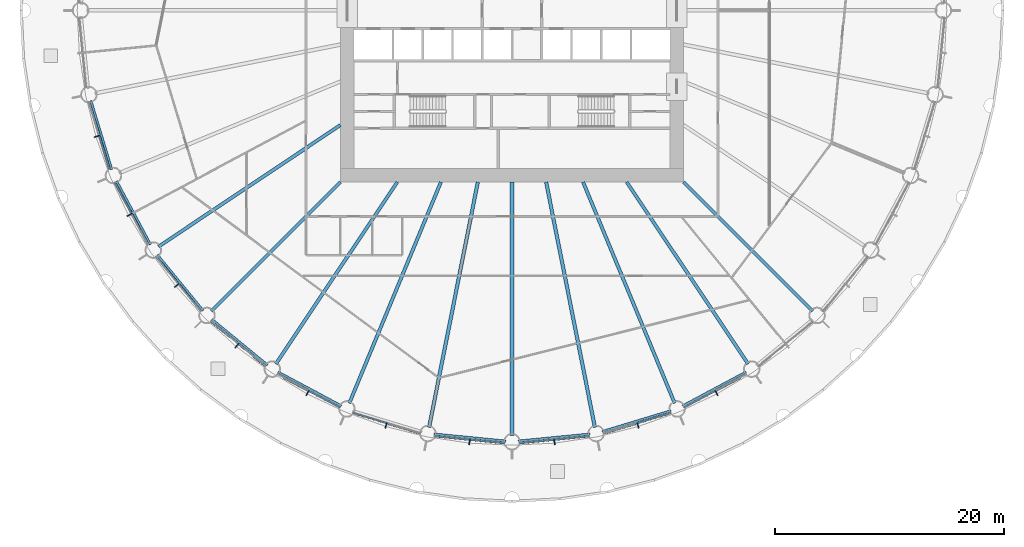
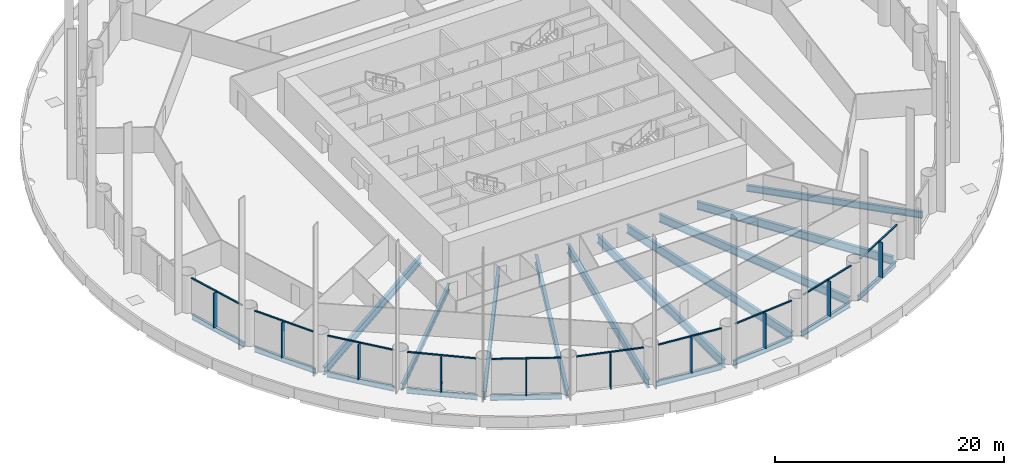
# One storey, part 2 of 17: 30 members, 19 beams, 10 elements without a shape of their own.
"""IFC4 building model written with IfcOpenShell, lengths in metres."""

from ifc_helpers import new_model, si_unit, direction, frame, origin, origin_2d, place, context, subcontext, project, spatial, rectangle, i_section, extrude, material, material_profile, profile_set, type_object, element, aggregate, save


model = new_model("IFC4")

# Units and contexts
model_context = context("Model", 3, precision=1e-05, world=origin(), true_north=direction((0.0, 1.0)))
body_context = subcontext(model_context, "Body", "Model", "MODEL_VIEW")
ifc_project = project(units=[si_unit("LENGTHUNIT", "METRE"), si_unit("AREAUNIT", "SQUARE_METRE"), si_unit("VOLUMEUNIT", "CUBIC_METRE"), si_unit("PLANEANGLEUNIT", "RADIAN"), si_unit("MASSUNIT", "GRAM", prefix="KILO")], contexts=[model_context])

# Site, building, storey
site_placement = place(None, origin())
site = spatial("IfcSite", under=ifc_project, at=site_placement, CompositionType="ELEMENT")
building_placement = place(site_placement, origin())
building = spatial("IfcBuilding", under=site, at=building_placement, Name="Corvane Civic Tower", CompositionType="ELEMENT")
storey_placement = place(building_placement, frame((0.0, 0.0, 37.0)))
storey = spatial("IfcBuildingStorey", under=building, at=storey_placement, Name="L07", CompositionType="ELEMENT", Elevation=37.0)

# Beams
ifc_material_1 = material(Name="Steel ASTM A992 Gr 50", Category="steel")
ifc_material_profile_1 = material_profile(ifc_material_1, i_section(OverallWidth=0.209228515625, OverallDepth=0.533447265625, WebThickness=0.01025390625, FlangeThickness=0.015625, at=origin_2d()), Name="W21X62")
ifc_profile_set_1 = profile_set([ifc_material_profile_1], Name="Steel ASTM A992 Gr 50")
beam_type_1 = type_object("IfcBeamType", Name="EDGE BEAM W21X62", PredefinedType="BEAM", material=ifc_profile_set_1)
for number, where, z_axis, x_axis, name in (
    (1, (20.4599609375, -31.605712890625, -0.566650390625), (-0.881916367906, -0.471405897311, 0.0), (0.471405897311, -0.881916367906, 0.0), "BM-L07-E14"),
    (2, (13.90087890625, -34.989990234375, -0.566650390625), (-0.956943740748, -0.290273452184, 0.0), (0.290273452184, -0.956943740748, 0.0), "BM-L07-E15"),
):
    element("IfcBeam", number, at=place(storey_placement, frame(where, z_axis=z_axis, x_axis=x_axis)), inside=storey, type_object=beam_type_1, Name=name, PredefinedType="BEAM", context=body_context, shape_type="SweptSolid", body=[
        extrude(i_section(OverallWidth=0.209228515625, OverallDepth=0.533447265625, WebThickness=0.01025390625, FlangeThickness=0.015625, at=origin_2d()), origin(), (0.0, 0.0, 1.0), 6.290283203125),
    ])
for number, where, z_axis, x_axis, name in (
    (3, (6.8076171875, -37.029541015625, -0.566650390625), (-0.995186682089, -0.097997284622, 0.0), (0.097997284622, -0.995186682089, 0.0), "BM-L07-E16"),
    (4, (-0.54736328125, -37.64599609375, -0.566650390625), (-0.995186682089, 0.097997284622, 0.0), (-0.097997284622, -0.995186682089, 0.0), "BM-L07-E17"),
):
    element("IfcBeam", number, at=place(storey_placement, frame(where, z_axis=z_axis, x_axis=x_axis)), inside=storey, type_object=beam_type_1, Name=name, PredefinedType="BEAM", context=body_context, shape_type="SweptSolid", body=[
        extrude(i_section(OverallWidth=0.209228515625, OverallDepth=0.533447265625, WebThickness=0.01025390625, FlangeThickness=0.015625, at=origin_2d()), origin(), (0.0, 0.0, 1.0), 6.29052734375),
    ])
beam_1_placement = place(storey_placement, frame((-14.912353515625, -34.571044921875, -0.566650390625), z_axis=(-0.881916367906, 0.471405897311, 0.0), x_axis=(-0.471405897311, -0.881916367906, 0.0)))
element("IfcBeam", 5, at=beam_1_placement, inside=storey, type_object=beam_type_1, Name="BM-L07-E19", PredefinedType="BEAM", context=body_context, shape_type="SweptSolid", body=[
    extrude(i_section(OverallWidth=0.209228515625, OverallDepth=0.533447265625, WebThickness=0.01025390625, FlangeThickness=0.015625, at=origin_2d()), origin(), (0.0, 0.0, 1.0), 6.290283203125),
])
for number, where, z_axis, x_axis, name in (
    (6, (-21.3701171875, -30.99755859375, -0.566650390625), (-0.773015785286, 0.634386787141, 0.0), (-0.634386787141, -0.773015785286, 0.0), "BM-L07-E20"),
    (7, (-27.0068359375, -26.23291015625, -0.566650390625), (-0.634386787141, 0.773015785286, 0.0), (-0.773015785286, -0.634386787141, 0.0), "BM-L07-E21"),
):
    element("IfcBeam", number, at=place(storey_placement, frame(where, z_axis=z_axis, x_axis=x_axis)), inside=storey, type_object=beam_type_1, Name=name, PredefinedType="BEAM", context=body_context, shape_type="SweptSolid", body=[
        extrude(i_section(OverallWidth=0.209228515625, OverallDepth=0.533447265625, WebThickness=0.01025390625, FlangeThickness=0.015625, at=origin_2d()), origin(), (0.0, 0.0, 1.0), 6.290771484375),
    ])
for number, where, z_axis, x_axis, name in (
    (8, (-31.605712890625, -20.4599609375, -0.566650390625), (-0.471405897311, 0.881916367906, 0.0), (-0.881916367906, -0.471405897311, 0.0), "BM-L07-E22"),
    (9, (-34.989990234375, -13.90087890625, -0.566650390625), (-0.290273452184, 0.956943740748, 0.0), (-0.956943740748, -0.290273452184, 0.0), "BM-L07-E23"),
):
    element("IfcBeam", number, at=place(storey_placement, frame(where, z_axis=z_axis, x_axis=x_axis)), inside=storey, type_object=beam_type_1, Name=name, PredefinedType="BEAM", context=body_context, shape_type="SweptSolid", body=[
        extrude(i_section(OverallWidth=0.209228515625, OverallDepth=0.533447265625, WebThickness=0.01025390625, FlangeThickness=0.015625, at=origin_2d()), origin(), (0.0, 0.0, 1.0), 6.290283203125),
    ])
ifc_material_2 = material(Name="Steel ASTM A992 Gr 50", Category="steel")
ifc_material_profile_2 = material_profile(ifc_material_2, i_section(OverallWidth=0.256591796875, OverallDepth=0.693359375, WebThickness=0.014404296875, FlangeThickness=0.023681640625, at=origin_2d()), Name="W27X114")
ifc_profile_set_2 = profile_set([ifc_material_profile_2], Name="Steel ASTM A992 Gr 50")
beam_type_2 = type_object("IfcBeamType", Name="FLOOR GIRDER W27X114", PredefinedType="BEAM", material=ifc_profile_set_2)
for number, where, z_axis, x_axis, name in (
    (10, (15.0, -15.0, -0.646728515625), (0.707106781187, -0.707106781187, 0.0), (0.707106781187, 0.707106781187, 0.0), "BM-L07-G13"),
    (11, (-15.0, -15.0, -0.646728515625), (-0.707106781187, -0.707106781187, 0.0), (0.707106781187, -0.707106781187, 0.0), "BM-L07-G21"),
):
    element("IfcBeam", number, at=place(storey_placement, frame(where, z_axis=z_axis, x_axis=x_axis)), inside=storey, type_object=beam_type_2, Name=name, PredefinedType="BEAM", context=body_context, shape_type="SweptSolid", body=[
        extrude(i_section(OverallWidth=0.256591796875, OverallDepth=0.693359375, WebThickness=0.014404296875, FlangeThickness=0.023681640625, at=origin_2d()), origin(), (0.0, 0.0, 1.0), 15.936767578125),
    ])
ifc_material_3 = material(Name="Steel ASTM A992 Gr 50", Category="steel")
ifc_material_profile_3 = material_profile(ifc_material_3, i_section(OverallWidth=0.2919921875, OverallDepth=0.8583984375, WebThickness=0.01708984375, FlangeThickness=0.031005859375, at=origin_2d()), Name="W33X169")
ifc_profile_set_3 = profile_set([ifc_material_profile_3], Name="Steel ASTM A992 Gr 50")
beam_type_3 = type_object("IfcBeamType", Name="FLOOR GIRDER W33X169", PredefinedType="BEAM", material=ifc_profile_set_3)
beam_2_placement = place(storey_placement, frame((10.022705078125, -15.0, -0.729248046875), z_axis=(0.555566681385, -0.831471985418, 0.0), x_axis=(0.831471985418, 0.555566681385, 0.0)))
element("IfcBeam", 12, at=beam_2_placement, inside=storey, type_object=beam_type_3, Name="BM-L07-G14", PredefinedType="BEAM", context=body_context, shape_type="SweptSolid", body=[
    extrude(i_section(OverallWidth=0.2919921875, OverallDepth=0.8583984375, WebThickness=0.01708984375, FlangeThickness=0.031005859375, at=origin_2d()), origin(), (0.0, 0.0, 1.0), 19.109619140625),
])
for number, where, z_axis, x_axis, name in (
    (13, (6.213134765625, -15.0, -0.729248046875), (0.382692360381, -0.923875834355, 0.0), (0.923875834355, 0.382692360381, 0.0), "BM-L07-G15"),
    (14, (-6.213134765625, -15.0, -0.729248046875), (-0.382692360381, -0.923875834355, 0.0), (0.923875834355, -0.382692360381, 0.0), "BM-L07-G19"),
):
    element("IfcBeam", number, at=place(storey_placement, frame(where, z_axis=z_axis, x_axis=x_axis)), inside=storey, type_object=beam_type_3, Name=name, PredefinedType="BEAM", context=body_context, shape_type="SweptSolid", body=[
        extrude(i_section(OverallWidth=0.2919921875, OverallDepth=0.8583984375, WebThickness=0.01708984375, FlangeThickness=0.031005859375, at=origin_2d()), origin(), (0.0, 0.0, 1.0), 20.9140625),
    ])
for number, where, z_axis, x_axis, name in (
    (15, (-10.022705078125, -15.0, -0.729248046875), (-0.555566681385, -0.831471985418, 0.0), (0.831471985418, -0.555566681385, 0.0), "BM-L07-G20"),
    (16, (-15.0, -10.022705078125, -0.729248046875), (-0.831471985418, -0.555566681385, 0.0), (0.555566681385, -0.831471985418, 0.0), "BM-L07-G22"),
):
    element("IfcBeam", number, at=place(storey_placement, frame(where, z_axis=z_axis, x_axis=x_axis)), inside=storey, type_object=beam_type_3, Name=name, PredefinedType="BEAM", context=body_context, shape_type="SweptSolid", body=[
        extrude(i_section(OverallWidth=0.2919921875, OverallDepth=0.8583984375, WebThickness=0.01708984375, FlangeThickness=0.031005859375, at=origin_2d()), origin(), (0.0, 0.0, 1.0), 19.109619140625),
    ])
ifc_material_4 = material(Name="Steel ASTM A992 Gr 50", Category="steel")
ifc_material_profile_4 = material_profile(ifc_material_4, i_section(OverallWidth=0.307373046875, OverallDepth=0.927001953125, WebThickness=0.01953125, FlangeThickness=0.031982421875, at=origin_2d()), Name="W36X194")
ifc_profile_set_4 = profile_set([ifc_material_profile_4], Name="Steel ASTM A992 Gr 50")
beam_type_4 = type_object("IfcBeamType", Name="FLOOR GIRDER W36X194", PredefinedType="BEAM", material=ifc_profile_set_4)
beam_3_placement = place(storey_placement, frame((2.983642578125, -15.0, -0.763671875), z_axis=(0.195089219638, -0.980785499679, 0.0), x_axis=(0.980785499679, 0.195089219638, 0.0)))
element("IfcBeam", 17, at=beam_3_placement, inside=storey, type_object=beam_type_4, Name="BM-L07-G16", PredefinedType="BEAM", context=body_context, shape_type="SweptSolid", body=[
    extrude(i_section(OverallWidth=0.307373046875, OverallDepth=0.927001953125, WebThickness=0.01953125, FlangeThickness=0.031982421875, at=origin_2d()), origin(), (0.0, 0.0, 1.0), 21.856201171875),
])
beam_4_placement = place(storey_placement, frame((0.0, -15.0, -0.763671875), z_axis=(0.0, -1.0, 0.0), x_axis=(1.0, 0.0, 0.0)))
element("IfcBeam", 18, at=beam_4_placement, inside=storey, type_object=beam_type_4, Name="BM-L07-G17", PredefinedType="BEAM", context=body_context, shape_type="SweptSolid", body=[
    extrude(i_section(OverallWidth=0.307373046875, OverallDepth=0.927001953125, WebThickness=0.01953125, FlangeThickness=0.031982421875, at=origin_2d()), origin(), (0.0, 0.0, 1.0), 22.14990234375),
])
beam_5_placement = place(storey_placement, frame((-2.983642578125, -15.0, -0.763671875), z_axis=(-0.195089219638, -0.980785499679, 0.0), x_axis=(0.980785499679, -0.195089219638, 0.0)))
element("IfcBeam", 19, at=beam_5_placement, inside=storey, type_object=beam_type_4, Name="BM-L07-G18", PredefinedType="BEAM", context=body_context, shape_type="SweptSolid", body=[
    extrude(i_section(OverallWidth=0.307373046875, OverallDepth=0.927001953125, WebThickness=0.01953125, FlangeThickness=0.031982421875, at=origin_2d()), origin(), (0.0, 0.0, 1.0), 21.856201171875),
])

# Curtain wall, members
ifc_material_5 = material(Name="Anodised aluminium bronze", Category="aluminium")
curtain_wall_type = type_object("IfcCurtainWallType", Name="TOWER CW-T1 STICK CURTAIN WALL", PredefinedType="NOTDEFINED", material=ifc_material_5)
curtain_wall_1_placement = place(storey_placement, origin())
curtain_wall_1 = element("IfcCurtainWall", 20, at=curtain_wall_1_placement, inside=storey, type_object=curtain_wall_type, Name="Curtain wall CW-T1 L07 bay 14", PredefinedType="NOTDEFINED")
ifc_material_6 = material(Name="Anodised aluminium bronze", Category="aluminium")
ifc_material_profile_5 = material_profile(ifc_material_6, rectangle(XDim=0.139892578125, YDim=0.1201171875, at=origin_2d()), Name="TOWER CW-T1 TRANSOM 140x120")
ifc_profile_set_5 = profile_set([ifc_material_profile_5], Name="Anodised aluminium bronze")
member_type_1 = type_object("IfcMemberType", Name="TOWER CW-T1 TRANSOM 140x120", PredefinedType="USERDEFINED", material=ifc_profile_set_5)
member_1_placement = place(storey_placement, frame((20.459228515625, -31.809326171875, 3.68994140625), z_axis=(-0.881923525532, -0.471392506424, 0.0), x_axis=(0.471392506424, -0.881923525532, 0.0)))
member_1 = element("IfcMember", 21, at=member_1_placement, type_object=member_type_1, Name="Transom CW-T1 L07 14.1", ObjectType="TRANSOM", PredefinedType="USERDEFINED", context=body_context, shape_type="SweptSolid", body=[
    extrude(rectangle(XDim=0.139892578125, YDim=0.1201171875, at=origin_2d()), origin(), (0.0, 0.0, 1.0), 3.008544921875),
])
member_2_placement = place(storey_placement, frame((17.7353515625, -33.26513671875, 3.68994140625), z_axis=(-0.881923525532, -0.471392506424, 0.0), x_axis=(0.471392506424, -0.881923525532, 0.0)))
member_2 = element("IfcMember", 22, at=member_2_placement, type_object=member_type_1, Name="Transom CW-T1 L07 14.2", ObjectType="TRANSOM", PredefinedType="USERDEFINED", context=body_context, shape_type="SweptSolid", body=[
    extrude(rectangle(XDim=0.139892578125, YDim=0.1201171875, at=origin_2d()), origin(), (0.0, 0.0, 1.0), 3.008544921875),
])

curtain_wall_2_placement = place(storey_placement, origin())
curtain_wall_2 = element("IfcCurtainWall", 23, at=curtain_wall_2_placement, inside=storey, type_object=curtain_wall_type, Name="Curtain wall CW-T1 L07 bay 15", PredefinedType="NOTDEFINED")
member_3_placement = place(storey_placement, frame((13.8603515625, -35.189453125, 3.68994140625), z_axis=(-0.956941780555, -0.290279914268, 0.0), x_axis=(0.290279914268, -0.956941780555, 0.0)))
member_3 = element("IfcMember", 24, at=member_3_placement, type_object=member_type_1, Name="Transom CW-T1 L07 15.1", ObjectType="TRANSOM", PredefinedType="USERDEFINED", context=body_context, shape_type="SweptSolid", body=[
    extrude(rectangle(XDim=0.139892578125, YDim=0.1201171875, at=origin_2d()), origin(), (0.0, 0.0, 1.0), 3.008544921875),
])
member_4_placement = place(storey_placement, frame((10.90478515625, -36.0859375, 3.68994140625), z_axis=(-0.956941780555, -0.290279914268, 0.0), x_axis=(0.290279914268, -0.956941780555, 0.0)))
member_4 = element("IfcMember", 25, at=member_4_placement, type_object=member_type_1, Name="Transom CW-T1 L07 15.2", ObjectType="TRANSOM", PredefinedType="USERDEFINED", context=body_context, shape_type="SweptSolid", body=[
    extrude(rectangle(XDim=0.139892578125, YDim=0.1201171875, at=origin_2d()), origin(), (0.0, 0.0, 1.0), 3.008544921875),
])

curtain_wall_3_placement = place(storey_placement, origin())
curtain_wall_3 = element("IfcCurtainWall", 26, at=curtain_wall_3_placement, inside=storey, type_object=curtain_wall_type, Name="Curtain wall CW-T1 L07 bay 16", PredefinedType="NOTDEFINED")
member_5_placement = place(storey_placement, frame((6.72900390625, -37.21728515625, 3.68994140625), z_axis=(-0.995191836722, -0.097944923917, 0.0), x_axis=(0.097944923917, -0.995191836722, 0.0)))
member_5 = element("IfcMember", 27, at=member_5_placement, type_object=member_type_1, Name="Transom CW-T1 L07 16.1", ObjectType="TRANSOM", PredefinedType="USERDEFINED", context=body_context, shape_type="SweptSolid", body=[
    extrude(rectangle(XDim=0.139892578125, YDim=0.1201171875, at=origin_2d()), origin(), (0.0, 0.0, 1.0), 3.008544921875),
])
member_6_placement = place(storey_placement, frame((3.6552734375, -37.52001953125, 3.68994140625), z_axis=(-0.995191836722, -0.097944923917, 0.0), x_axis=(0.097944923917, -0.995191836722, 0.0)))
member_6 = element("IfcMember", 28, at=member_6_placement, type_object=member_type_1, Name="Transom CW-T1 L07 16.2", ObjectType="TRANSOM", PredefinedType="USERDEFINED", context=body_context, shape_type="SweptSolid", body=[
    extrude(rectangle(XDim=0.139892578125, YDim=0.1201171875, at=origin_2d()), origin(), (0.0, 0.0, 1.0), 3.008544921875),
])

curtain_wall_4_placement = place(storey_placement, origin())
curtain_wall_4 = element("IfcCurtainWall", 29, at=curtain_wall_4_placement, inside=storey, type_object=curtain_wall_type, Name="Curtain wall CW-T1 L07 bay 17", PredefinedType="NOTDEFINED")
member_7_placement = place(storey_placement, frame((-0.6611328125, -37.814697265625, 3.68994140625), z_axis=(-0.995191836722, 0.097944923917, 0.0), x_axis=(-0.097944923917, -0.995191836722, 0.0)))
member_7 = element("IfcMember", 30, at=member_7_placement, type_object=member_type_1, Name="Transom CW-T1 L07 17.1", ObjectType="TRANSOM", PredefinedType="USERDEFINED", context=body_context, shape_type="SweptSolid", body=[
    extrude(rectangle(XDim=0.139892578125, YDim=0.1201171875, at=origin_2d()), origin(), (0.0, 0.0, 1.0), 3.008544921875),
])
member_8_placement = place(storey_placement, frame((-3.73486328125, -37.511962890625, 3.68994140625), z_axis=(-0.995191836722, 0.097944923917, 0.0), x_axis=(-0.097944923917, -0.995191836722, 0.0)))
member_8 = element("IfcMember", 31, at=member_8_placement, type_object=member_type_1, Name="Transom CW-T1 L07 17.2", ObjectType="TRANSOM", PredefinedType="USERDEFINED", context=body_context, shape_type="SweptSolid", body=[
    extrude(rectangle(XDim=0.139892578125, YDim=0.1201171875, at=origin_2d()), origin(), (0.0, 0.0, 1.0), 3.008544921875),
])

curtain_wall_5_placement = place(storey_placement, origin())
curtain_wall_5 = element("IfcCurtainWall", 32, at=curtain_wall_5_placement, inside=storey, type_object=curtain_wall_type, Name="Curtain wall CW-T1 L07 bay 18", PredefinedType="NOTDEFINED")
member_9_placement = place(storey_placement, frame((-8.02587890625, -36.959228515625, 3.68994140625), z_axis=(-0.956941780555, 0.290279914268, 0.0), x_axis=(-0.290279914268, -0.956941780555, 0.0)))
member_9 = element("IfcMember", 33, at=member_9_placement, type_object=member_type_1, Name="Transom CW-T1 L07 18.1", ObjectType="TRANSOM", PredefinedType="USERDEFINED", context=body_context, shape_type="SweptSolid", body=[
    extrude(rectangle(XDim=0.139892578125, YDim=0.1201171875, at=origin_2d()), origin(), (0.0, 0.0, 1.0), 3.008544921875),
])
member_10_placement = place(storey_placement, frame((-10.9814453125, -36.062744140625, 3.68994140625), z_axis=(-0.956941780555, 0.290279914268, 0.0), x_axis=(-0.290279914268, -0.956941780555, 0.0)))
member_10 = element("IfcMember", 34, at=member_10_placement, type_object=member_type_1, Name="Transom CW-T1 L07 18.2", ObjectType="TRANSOM", PredefinedType="USERDEFINED", context=body_context, shape_type="SweptSolid", body=[
    extrude(rectangle(XDim=0.139892578125, YDim=0.1201171875, at=origin_2d()), origin(), (0.0, 0.0, 1.0), 3.008544921875),
])

curtain_wall_6_placement = place(storey_placement, origin())
curtain_wall_6 = element("IfcCurtainWall", 35, at=curtain_wall_6_placement, inside=storey, type_object=curtain_wall_type, Name="Curtain wall CW-T1 L07 bay 19", PredefinedType="NOTDEFINED")
member_11_placement = place(storey_placement, frame((-15.08203125, -34.683349609375, 3.68994140625), z_axis=(-0.881923525532, 0.471392506424, 0.0), x_axis=(-0.471392506424, -0.881923525532, 0.0)))
member_11 = element("IfcMember", 36, at=member_11_placement, type_object=member_type_1, Name="Transom CW-T1 L07 19.1", ObjectType="TRANSOM", PredefinedType="USERDEFINED", context=body_context, shape_type="SweptSolid", body=[
    extrude(rectangle(XDim=0.139892578125, YDim=0.1201171875, at=origin_2d()), origin(), (0.0, 0.0, 1.0), 3.008544921875),
])
member_12_placement = place(storey_placement, frame((-17.805908203125, -33.2275390625, 3.68994140625), z_axis=(-0.881923525532, 0.471392506424, 0.0), x_axis=(-0.471392506424, -0.881923525532, 0.0)))
member_12 = element("IfcMember", 37, at=member_12_placement, type_object=member_type_1, Name="Transom CW-T1 L07 19.2", ObjectType="TRANSOM", PredefinedType="USERDEFINED", context=body_context, shape_type="SweptSolid", body=[
    extrude(rectangle(XDim=0.139892578125, YDim=0.1201171875, at=origin_2d()), origin(), (0.0, 0.0, 1.0), 3.008544921875),
])

curtain_wall_7_placement = place(storey_placement, origin())
curtain_wall_7 = element("IfcCurtainWall", 38, at=curtain_wall_7_placement, inside=storey, type_object=curtain_wall_type, Name="Curtain wall CW-T1 L07 bay 20", PredefinedType="NOTDEFINED")
member_13_placement = place(storey_placement, frame((-21.55859375, -31.074462890625, 3.68994140625), z_axis=(-0.773041738279, 0.634355161466, 0.0), x_axis=(-0.634355161466, -0.773041738279, 0.0)))
member_13 = element("IfcMember", 39, at=member_13_placement, type_object=member_type_1, Name="Transom CW-T1 L07 20.1", ObjectType="TRANSOM", PredefinedType="USERDEFINED", context=body_context, shape_type="SweptSolid", body=[
    extrude(rectangle(XDim=0.139892578125, YDim=0.1201171875, at=origin_2d()), origin(), (0.0, 0.0, 1.0), 3.008544921875),
])
member_14_placement = place(storey_placement, frame((-23.946044921875, -29.115234375, 3.68994140625), z_axis=(-0.773001943873, 0.634403652865, 0.0), x_axis=(-0.634403652865, -0.773001943873, 0.0)))
member_14 = element("IfcMember", 40, at=member_14_placement, type_object=member_type_1, Name="Transom CW-T1 L07 20.2", ObjectType="TRANSOM", PredefinedType="USERDEFINED", context=body_context, shape_type="SweptSolid", body=[
    extrude(rectangle(XDim=0.139892578125, YDim=0.1201171875, at=origin_2d()), origin(), (0.0, 0.0, 1.0), 3.008544921875),
])

curtain_wall_8_placement = place(storey_placement, origin())
curtain_wall_8 = element("IfcCurtainWall", 41, at=curtain_wall_8_placement, inside=storey, type_object=curtain_wall_type, Name="Curtain wall CW-T1 L07 bay 21", PredefinedType="NOTDEFINED")
member_15_placement = place(storey_placement, frame((-27.20654296875, -26.271728515625, 3.68994140625), z_axis=(-0.634403652865, 0.773001943873, 0.0), x_axis=(-0.773001943873, -0.634403652865, 0.0)))
member_15 = element("IfcMember", 42, at=member_15_placement, type_object=member_type_1, Name="Transom CW-T1 L07 21.1", ObjectType="TRANSOM", PredefinedType="USERDEFINED", context=body_context, shape_type="SweptSolid", body=[
    extrude(rectangle(XDim=0.139892578125, YDim=0.1201171875, at=origin_2d()), origin(), (0.0, 0.0, 1.0), 3.008544921875),
])
member_16_placement = place(storey_placement, frame((-29.166015625, -23.88427734375, 3.68994140625), z_axis=(-0.634355161466, 0.773041738279, 0.0), x_axis=(-0.773041738279, -0.634355161466, 0.0)))
member_16 = element("IfcMember", 43, at=member_16_placement, type_object=member_type_1, Name="Transom CW-T1 L07 21.2", ObjectType="TRANSOM", PredefinedType="USERDEFINED", context=body_context, shape_type="SweptSolid", body=[
    extrude(rectangle(XDim=0.139892578125, YDim=0.1201171875, at=origin_2d()), origin(), (0.0, 0.0, 1.0), 3.008544921875),
])

curtain_wall_9_placement = place(storey_placement, origin())
curtain_wall_9 = element("IfcCurtainWall", 44, at=curtain_wall_9_placement, inside=storey, type_object=curtain_wall_type, Name="Curtain wall CW-T1 L07 bay 22", PredefinedType="NOTDEFINED")
member_17_placement = place(storey_placement, frame((-31.809326171875, -20.459228515625, 3.68994140625), z_axis=(-0.471392506424, 0.881923525532, 0.0), x_axis=(-0.881923525532, -0.471392506424, 0.0)))
member_17 = element("IfcMember", 45, at=member_17_placement, type_object=member_type_1, Name="Transom CW-T1 L07 22.1", ObjectType="TRANSOM", PredefinedType="USERDEFINED", context=body_context, shape_type="SweptSolid", body=[
    extrude(rectangle(XDim=0.139892578125, YDim=0.1201171875, at=origin_2d()), origin(), (0.0, 0.0, 1.0), 3.008544921875),
])
member_18_placement = place(storey_placement, frame((-33.26513671875, -17.7353515625, 3.68994140625), z_axis=(-0.471392506424, 0.881923525532, 0.0), x_axis=(-0.881923525532, -0.471392506424, 0.0)))
member_18 = element("IfcMember", 46, at=member_18_placement, type_object=member_type_1, Name="Transom CW-T1 L07 22.2", ObjectType="TRANSOM", PredefinedType="USERDEFINED", context=body_context, shape_type="SweptSolid", body=[
    extrude(rectangle(XDim=0.139892578125, YDim=0.1201171875, at=origin_2d()), origin(), (0.0, 0.0, 1.0), 3.008544921875),
])

curtain_wall_10_placement = place(storey_placement, origin())
curtain_wall_10 = element("IfcCurtainWall", 47, at=curtain_wall_10_placement, inside=storey, type_object=curtain_wall_type, Name="Curtain wall CW-T1 L07 bay 23", PredefinedType="NOTDEFINED")
member_19_placement = place(storey_placement, frame((-35.189453125, -13.8603515625, 3.68994140625), z_axis=(-0.290279914268, 0.956941780555, 0.0), x_axis=(-0.956941780555, -0.290279914268, 0.0)))
member_19 = element("IfcMember", 48, at=member_19_placement, type_object=member_type_1, Name="Transom CW-T1 L07 23.1", ObjectType="TRANSOM", PredefinedType="USERDEFINED", context=body_context, shape_type="SweptSolid", body=[
    extrude(rectangle(XDim=0.139892578125, YDim=0.1201171875, at=origin_2d()), origin(), (0.0, 0.0, 1.0), 3.008544921875),
])
member_20_placement = place(storey_placement, frame((-36.0859375, -10.90478515625, 3.68994140625), z_axis=(-0.290279914268, 0.956941780555, 0.0), x_axis=(-0.956941780555, -0.290279914268, 0.0)))
member_20 = element("IfcMember", 49, at=member_20_placement, type_object=member_type_1, Name="Transom CW-T1 L07 23.2", ObjectType="TRANSOM", PredefinedType="USERDEFINED", context=body_context, shape_type="SweptSolid", body=[
    extrude(rectangle(XDim=0.139892578125, YDim=0.1201171875, at=origin_2d()), origin(), (0.0, 0.0, 1.0), 3.008544921875),
])

# Member
ifc_material_7 = material(Name="Anodised aluminium bronze", Category="aluminium")
ifc_material_profile_6 = material_profile(ifc_material_7, rectangle(XDim=0.080078125, YDim=0.5, at=origin_2d()), Name="TOWER FIN MULLION 80x500 BRONZE")
ifc_profile_set_6 = profile_set([ifc_material_profile_6], Name="Anodised aluminium bronze")
member_type_2 = type_object("IfcMemberType", Name="TOWER FIN MULLION 80x500 BRONZE", PredefinedType="MULLION", material=ifc_profile_set_6)
member_21_placement = place(storey_placement, frame((17.86474609375, -33.422607421875, 0.0), z_axis=(0.0, 0.0, 1.0), x_axis=(-0.881917528864, -0.471403725359, 0.0)))
member_21 = element("IfcMember", 50, at=member_21_placement, type_object=member_type_2, Name="Fin mullion 14 L07", PredefinedType="MULLION", context=body_context, shape_type="SweptSolid", body=[
    extrude(rectangle(XDim=0.080078125, YDim=0.5, at=origin_2d()), origin(), (0.0, 0.0, 1.0), 3.75),
])

aggregate(curtain_wall_1, [member_21, member_1, member_2])

member_22_placement = place(storey_placement, frame((11.001220703125, -36.265625, 0.0), z_axis=(0.0, 0.0, 1.0), x_axis=(-0.956942240606, -0.290278397654, 0.0)))
member_22 = element("IfcMember", 51, at=member_22_placement, type_object=member_type_2, Name="Fin mullion 15 L07", PredefinedType="MULLION", context=body_context, shape_type="SweptSolid", body=[
    extrude(rectangle(XDim=0.080078125, YDim=0.5, at=origin_2d()), origin(), (0.0, 0.0, 1.0), 3.75),
])

aggregate(curtain_wall_2, [member_22, member_3, member_4])

member_23_placement = place(storey_placement, frame((3.714599609375, -37.715087890625, 0.0), z_axis=(0.0, 0.0, 1.0), x_axis=(-0.995185800248, -0.098006239521, 0.0)))
member_23 = element("IfcMember", 52, at=member_23_placement, type_object=member_type_2, Name="Fin mullion 16 L07", PredefinedType="MULLION", context=body_context, shape_type="SweptSolid", body=[
    extrude(rectangle(XDim=0.080078125, YDim=0.5, at=origin_2d()), origin(), (0.0, 0.0, 1.0), 3.75),
])

aggregate(curtain_wall_3, [member_23, member_5, member_6])

member_24_placement = place(storey_placement, frame((-3.714599609375, -37.715087890625, 0.0), z_axis=(0.0, 0.0, 1.0), x_axis=(-0.995185800248, 0.098006239521, 0.0)))
member_24 = element("IfcMember", 53, at=member_24_placement, type_object=member_type_2, Name="Fin mullion 17 L07", PredefinedType="MULLION", context=body_context, shape_type="SweptSolid", body=[
    extrude(rectangle(XDim=0.080078125, YDim=0.5, at=origin_2d()), origin(), (0.0, 0.0, 1.0), 3.75),
])

aggregate(curtain_wall_4, [member_24, member_7, member_8])

member_25_placement = place(storey_placement, frame((-11.001220703125, -36.265625, 0.0), z_axis=(0.0, 0.0, 1.0), x_axis=(-0.956942240606, 0.290278397654, 0.0)))
member_25 = element("IfcMember", 54, at=member_25_placement, type_object=member_type_2, Name="Fin mullion 18 L07", PredefinedType="MULLION", context=body_context, shape_type="SweptSolid", body=[
    extrude(rectangle(XDim=0.080078125, YDim=0.5, at=origin_2d()), origin(), (0.0, 0.0, 1.0), 3.75),
])

aggregate(curtain_wall_5, [member_25, member_9, member_10])

member_26_placement = place(storey_placement, frame((-17.86474609375, -33.422607421875, 0.0), z_axis=(0.0, 0.0, 1.0), x_axis=(-0.881917528864, 0.471403725359, 0.0)))
member_26 = element("IfcMember", 55, at=member_26_placement, type_object=member_type_2, Name="Fin mullion 19 L07", PredefinedType="MULLION", context=body_context, shape_type="SweptSolid", body=[
    extrude(rectangle(XDim=0.080078125, YDim=0.5, at=origin_2d()), origin(), (0.0, 0.0, 1.0), 3.75),
])

aggregate(curtain_wall_6, [member_26, member_11, member_12])

member_27_placement = place(storey_placement, frame((-24.0419921875, -29.295166015625, 0.0), z_axis=(0.0, 0.0, 1.0), x_axis=(-0.773007224463, 0.634397218569, 0.0)))
member_27 = element("IfcMember", 56, at=member_27_placement, type_object=member_type_2, Name="Fin mullion 20 L07", PredefinedType="MULLION", context=body_context, shape_type="SweptSolid", body=[
    extrude(rectangle(XDim=0.080078125, YDim=0.5, at=origin_2d()), origin(), (0.0, 0.0, 1.0), 3.75),
])

aggregate(curtain_wall_7, [member_27, member_13, member_14])

member_28_placement = place(storey_placement, frame((-29.295166015625, -24.0419921875, 0.0), z_axis=(0.0, 0.0, 1.0), x_axis=(-0.634397218569, 0.773007224463, 0.0)))
member_28 = element("IfcMember", 57, at=member_28_placement, type_object=member_type_2, Name="Fin mullion 21 L07", PredefinedType="MULLION", context=body_context, shape_type="SweptSolid", body=[
    extrude(rectangle(XDim=0.080078125, YDim=0.5, at=origin_2d()), origin(), (0.0, 0.0, 1.0), 3.75),
])

aggregate(curtain_wall_8, [member_28, member_15, member_16])

member_29_placement = place(storey_placement, frame((-33.422607421875, -17.86474609375, 0.0), z_axis=(0.0, 0.0, 1.0), x_axis=(-0.471403725359, 0.881917528864, 0.0)))
member_29 = element("IfcMember", 58, at=member_29_placement, type_object=member_type_2, Name="Fin mullion 22 L07", PredefinedType="MULLION", context=body_context, shape_type="SweptSolid", body=[
    extrude(rectangle(XDim=0.080078125, YDim=0.5, at=origin_2d()), origin(), (0.0, 0.0, 1.0), 3.75),
])

aggregate(curtain_wall_9, [member_29, member_17, member_18])

member_30_placement = place(storey_placement, frame((-36.265625, -11.001220703125, 0.0), z_axis=(0.0, 0.0, 1.0), x_axis=(-0.290278397654, 0.956942240606, 0.0)))
member_30 = element("IfcMember", 59, at=member_30_placement, type_object=member_type_2, Name="Fin mullion 23 L07", PredefinedType="MULLION", context=body_context, shape_type="SweptSolid", body=[
    extrude(rectangle(XDim=0.080078125, YDim=0.5, at=origin_2d()), origin(), (0.0, 0.0, 1.0), 3.75),
])

aggregate(curtain_wall_10, [member_30, member_19, member_20])

save(model, "model.ifc")
